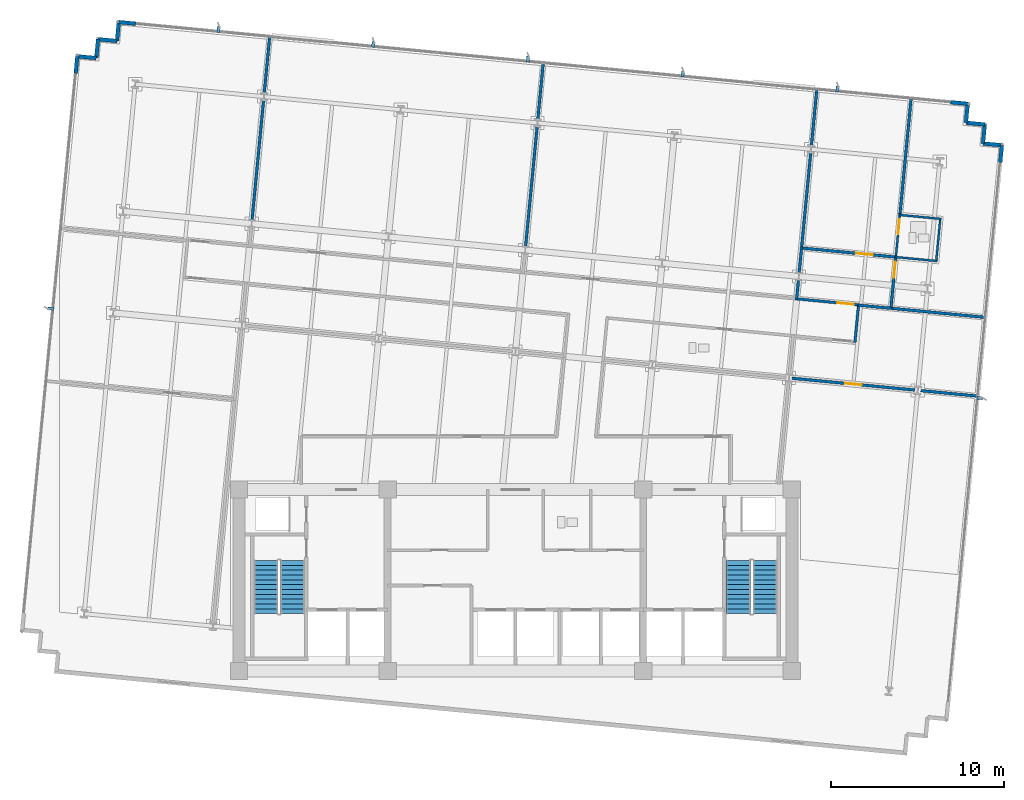
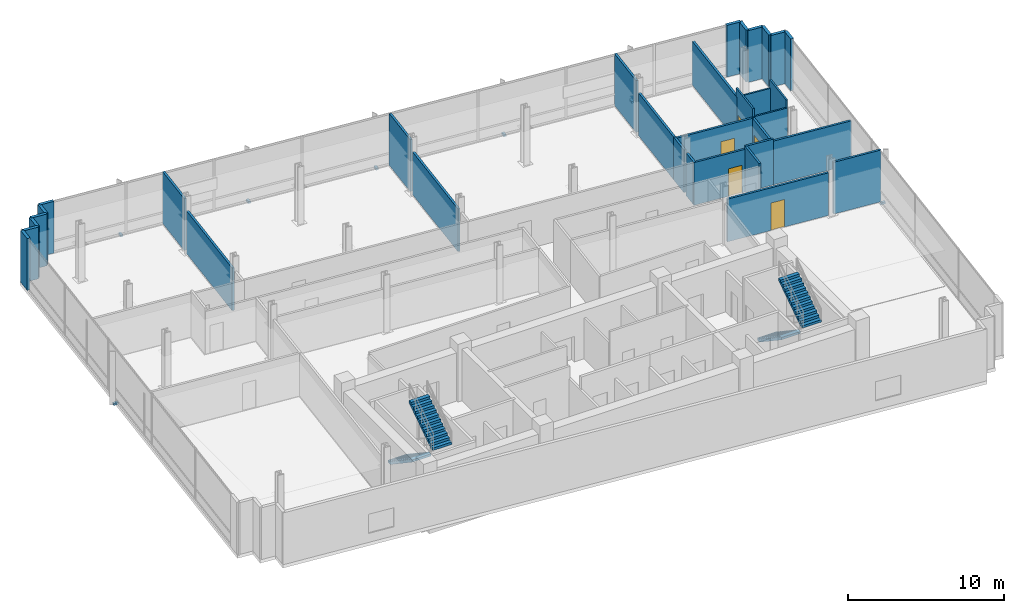
# One storey, part 13 of 17: 33 walls, 7 discrete accessories, 5 doors, 4 stair flights, 5 openings, 2 elements without a shape of their own.
"""IFC4 building model written with IfcOpenShell, lengths in metres."""

from ifc_helpers import new_model, si_unit, direction, frame, frame_2d, origin, origin_2d, place, context, subcontext, project, spatial, polyline, rectangle, outline, extrude, material, layer, layer_set, type_object, element, fill, aggregate, save


model = new_model("IFC4")

# Units and contexts
model_context = context("Model", 3, precision=1e-05, world=origin(), true_north=direction((0.0, 1.0)))
body_context = subcontext(model_context, "Body", "Model", "MODEL_VIEW")
ifc_project = project(units=[si_unit("LENGTHUNIT", "METRE"), si_unit("AREAUNIT", "SQUARE_METRE"), si_unit("VOLUMEUNIT", "CUBIC_METRE"), si_unit("PLANEANGLEUNIT", "RADIAN"), si_unit("MASSUNIT", "GRAM", prefix="KILO")], contexts=[model_context])

# Site, building, storey
site_placement = place(None, origin())
site = spatial("IfcSite", under=ifc_project, at=site_placement, CompositionType="ELEMENT")
building_placement = place(site_placement, origin())
building = spatial("IfcBuilding", under=site, at=building_placement, Name="Solmavex Isthmus Hotel", CompositionType="ELEMENT")
storey_placement = place(building_placement, frame((0.0, 0.0, 181.800048828125)))
storey = spatial("IfcBuildingStorey", under=building, at=storey_placement, Name="L49", CompositionType="ELEMENT", Elevation=181.800048828125)

# Walls
ifc_material_1 = material(Name="Precast Concrete C40/50", Category="concrete")
ifc_layer_1 = layer(ifc_material_1, 0.25)
ifc_layer_set_1 = layer_set([ifc_layer_1], Name="Precast Concrete C40/50")
wall_type_1 = type_object("IfcWallType", Name="EW-TWR-250", PredefinedType="STANDARD", material=ifc_layer_set_1)
wall_1_placement = place(storey_placement, frame((-25.46142578125, 21.60498046875, 0.0), z_axis=(0.0, 0.0, 1.0), x_axis=(0.095937974524, 0.995387314086, 0.0)))
element("IfcWall", 1, at=wall_1_placement, inside=storey, type_object=wall_type_1, Name="Serrated Corner Facade Panel L49-07", PredefinedType="STANDARD", context=body_context, shape_type="SweptSolid", body=[
    extrude(rectangle(XDim=0.989990234375, YDim=0.219970703125, at=frame_2d((0.4951171875, 0.0))), origin(), (0.0, 0.0, 1.0), 4.050048828125),
])
for number, where, z_axis, x_axis, name in (
    (2, (-25.366455078125, 22.59033203125, 0.0), (0.0, 0.0, 1.0), (0.995414313875, -0.095657429048, 0.0), "Serrated Corner Facade Panel L49-08"),
    (3, (-24.271484375, 22.485107421875, 0.0), (0.0, 0.0, 1.0), (0.095657429048, 0.995414313875, 0.0), "Serrated Corner Facade Panel L49-09"),
    (4, (-24.166259765625, 23.580078125, 0.0), (0.0, 0.0, 1.0), (0.995393156894, -0.095877334176, 0.0), "Serrated Corner Facade Panel L49-10"),
    (5, (-23.0712890625, 23.474609375, 0.0), (0.0, 0.0, 1.0), (0.095877334176, 0.995393156894, 0.0), "Serrated Corner Facade Panel L49-11"),
):
    element("IfcWall", number, at=place(storey_placement, frame(where, z_axis=z_axis, x_axis=x_axis)), inside=storey, type_object=wall_type_1, Name=name, PredefinedType="STANDARD", context=body_context, shape_type="SweptSolid", body=[
        extrude(rectangle(XDim=1.10009765625, YDim=0.219970703125, at=frame_2d((0.550048828125, 0.0))), origin(), (0.0, 0.0, 1.0), 4.050048828125),
    ])
for number, where, z_axis, x_axis, name in (
    (6, (-22.9658203125, 24.569580078125, 0.0), (0.0, 0.0, 1.0), (0.995387314086, -0.095937974524, 0.0), "Serrated Corner Facade Panel L49-12"),
    (7, (25.201416015625, 19.931396484375, 0.0), (0.0, 0.0, 1.0), (0.99541083642, -0.095693608655, 0.0), "Serrated Corner Facade Panel L49-14"),
):
    element("IfcWall", number, at=place(storey_placement, frame(where, z_axis=z_axis, x_axis=x_axis)), inside=storey, type_object=wall_type_1, Name=name, PredefinedType="STANDARD", context=body_context, shape_type="SweptSolid", body=[
        extrude(rectangle(XDim=0.989990234375, YDim=0.219970703125, at=frame_2d((0.4951171875, 0.0))), origin(), (0.0, 0.0, 1.0), 4.050048828125),
    ])
wall_2_placement = place(storey_placement, frame((26.186767578125, 19.836669921875, 0.0), z_axis=(0.0, 0.0, 1.0), x_axis=(-0.095657429048, -0.995414313875, 0.0)))
element("IfcWall", 8, at=wall_2_placement, inside=storey, type_object=wall_type_1, Name="Serrated Corner Facade Panel L49-15", PredefinedType="STANDARD", context=body_context, shape_type="SweptSolid", body=[
    extrude(rectangle(XDim=1.10009765625, YDim=0.219970703125, at=frame_2d((0.550048828125, 0.0))), origin(), (0.0, 0.0, 1.0), 4.050048828125),
])
wall_3_placement = place(storey_placement, frame((26.08154296875, 18.74169921875, 0.0), z_axis=(0.0, 0.0, 1.0), x_axis=(0.995391116058, -0.095898519656, 0.0)))
element("IfcWall", 9, at=wall_3_placement, inside=storey, type_object=wall_type_1, Name="Serrated Corner Facade Panel L49-16", PredefinedType="STANDARD", context=body_context, shape_type="SweptSolid", body=[
    extrude(rectangle(XDim=1.099853515625, YDim=0.219970703125, at=frame_2d((0.5498046875, 0.0))), origin(), (0.0, 0.0, 1.0), 4.050048828125),
])
wall_4_placement = place(storey_placement, frame((27.17626953125, 18.63623046875, 0.0), z_axis=(0.0, 0.0, 1.0), x_axis=(-0.095657429048, -0.995414313875, 0.0)))
element("IfcWall", 10, at=wall_4_placement, inside=storey, type_object=wall_type_1, Name="Serrated Corner Facade Panel L49-17", PredefinedType="STANDARD", context=body_context, shape_type="SweptSolid", body=[
    extrude(rectangle(XDim=1.10009765625, YDim=0.219970703125, at=frame_2d((0.550048828125, 0.0))), origin(), (0.0, 0.0, 1.0), 4.050048828125),
])
wall_5_placement = place(storey_placement, frame((27.071044921875, 17.541259765625, 0.0), z_axis=(0.0, 0.0, 1.0), x_axis=(0.995391116058, -0.095898519656, 0.0)))
element("IfcWall", 11, at=wall_5_placement, inside=storey, type_object=wall_type_1, Name="Serrated Corner Facade Panel L49-18", PredefinedType="STANDARD", context=body_context, shape_type="SweptSolid", body=[
    extrude(rectangle(XDim=1.099853515625, YDim=0.219970703125, at=frame_2d((0.5498046875, 0.0))), origin(), (0.0, 0.0, 1.0), 4.050048828125),
])
wall_6_placement = place(storey_placement, frame((28.165771484375, 17.435791015625, 0.0), z_axis=(0.0, 0.0, 1.0), x_axis=(-0.095693608655, -0.99541083642, 0.0)))
element("IfcWall", 12, at=wall_6_placement, inside=storey, type_object=wall_type_1, Name="Serrated Corner Facade Panel L49-19", PredefinedType="STANDARD", context=body_context, shape_type="SweptSolid", body=[
    extrude(rectangle(XDim=0.989990234375, YDim=0.219970703125, at=frame_2d((0.4951171875, 0.0))), origin(), (0.0, 0.0, 1.0), 4.050048828125),
])
ifc_material_2 = material(Name="Gypsum plasterboard lining", Category="gypsum")
ifc_layer_2 = layer(ifc_material_2, 0.159912109375)
ifc_layer_set_2 = layer_set([ifc_layer_2], Name="Gypsum plasterboard lining")
wall_type_2 = type_object("IfcWallType", Name="IW-COMP-160", PredefinedType="PARTITIONING", material=ifc_layer_set_2)
wall_7_placement = place(storey_placement, frame((-14.57958984375, 20.0791015625, 0.0), z_axis=(0.0, 0.0, 1.0), x_axis=(-0.095849846802, -0.995395804124, 0.0)))
element("IfcWall", 13, at=wall_7_placement, inside=storey, type_object=wall_type_2, Name="Interior Partition Wall W-L49-P020", PredefinedType="PARTITIONING", context=body_context, shape_type="SweptSolid", body=[
    extrude(rectangle(XDim=7.040283203125, YDim=0.159912109375, at=frame_2d((3.52001953125, 0.0))), origin(), (0.0, 0.0, 1.0), 3.33935546875),
])
wall_8_placement = place(storey_placement, frame((-14.225341796875, 23.758056640625, 0.0), z_axis=(0.0, 0.0, 1.0), x_axis=(-0.095859866796, -0.995394839216, 0.0)))
element("IfcWall", 14, at=wall_8_placement, inside=storey, type_object=wall_type_2, Name="Interior Partition Wall W-L49-P021", PredefinedType="PARTITIONING", context=body_context, shape_type="SweptSolid", body=[
    extrude(rectangle(XDim=3.343994140625, YDim=0.159912109375, at=frame_2d((1.671875, 0.0))), origin(), (0.0, 0.0, 1.0), 4.050048828125),
])
wall_9_placement = place(storey_placement, frame((1.259033203125, 18.553955078125, 0.0), z_axis=(0.0, 0.0, 1.0), x_axis=(-0.095818794798, -0.995398793732, 0.0)))
element("IfcWall", 15, at=wall_9_placement, inside=storey, type_object=wall_type_2, Name="Interior Partition Wall W-L49-P024", PredefinedType="PARTITIONING", context=body_context, shape_type="SweptSolid", body=[
    extrude(rectangle(XDim=7.0400390625, YDim=0.159912109375, at=frame_2d((3.52001953125, 0.0))), origin(), (0.0, 0.0, 1.0), 3.33935546875),
])
wall_10_placement = place(storey_placement, frame((1.601806640625, 22.113525390625, 0.0), z_axis=(0.0, 0.0, 1.0), x_axis=(-0.095791766065, -0.995401395194, 0.0)))
element("IfcWall", 16, at=wall_10_placement, inside=storey, type_object=wall_type_2, Name="Interior Partition Wall W-L49-P025", PredefinedType="PARTITIONING", context=body_context, shape_type="SweptSolid", body=[
    extrude(rectangle(XDim=3.22412109375, YDim=0.159912109375, at=frame_2d((1.612060546875, 0.0))), origin(), (0.0, 0.0, 1.0), 4.050048828125),
])
wall_11_placement = place(storey_placement, frame((16.389404296875, 9.6708984375, 0.0), z_axis=(0.0, 0.0, 1.0), x_axis=(-0.095811626391, -0.995399483749, 0.0)))
element("IfcWall", 17, at=wall_11_placement, inside=storey, type_object=wall_type_2, Name="Interior Partition Wall W-L49-P026", PredefinedType="PARTITIONING", context=body_context, shape_type="SweptSolid", body=[
    extrude(rectangle(XDim=1.172119140625, YDim=0.159912109375, at=frame_2d((0.5859375, 0.0))), origin(), (0.0, 0.0, 1.0), 3.33935546875),
])
wall_12_placement = place(storey_placement, frame((16.572265625, 11.570068359375, 0.0), z_axis=(0.0, 0.0, 1.0), x_axis=(-0.095867871334, -0.99539406832, 0.0)))
element("IfcWall", 18, at=wall_12_placement, inside=storey, type_object=wall_type_2, Name="Interior Partition Wall W-L49-P027", PredefinedType="PARTITIONING", context=body_context, shape_type="SweptSolid", body=[
    extrude(rectangle(XDim=1.555908203125, YDim=0.159912109375, at=frame_2d((0.77783203125, 0.0))), origin(), (0.0, 0.0, 1.0), 3.33935546875),
])
wall_13_placement = place(storey_placement, frame((17.097900390625, 17.02880859375, 0.0), z_axis=(0.0, 0.0, 1.0), x_axis=(-0.095831010877, -0.995397617716, 0.0)))
element("IfcWall", 19, at=wall_13_placement, inside=storey, type_object=wall_type_2, Name="Interior Partition Wall W-L49-P028", PredefinedType="PARTITIONING", context=body_context, shape_type="SweptSolid", body=[
    extrude(rectangle(XDim=5.64794921875, YDim=0.159912109375, at=frame_2d((2.823974609375, 0.0))), origin(), (0.0, 0.0, 1.0), 3.33935546875),
])
wall_14_placement = place(storey_placement, frame((17.4521484375, 20.707763671875, 0.0), z_axis=(0.0, 0.0, 1.0), x_axis=(-0.095859866796, -0.995394839216, 0.0)))
element("IfcWall", 20, at=wall_14_placement, inside=storey, type_object=wall_type_2, Name="Interior Partition Wall W-L49-P029", PredefinedType="PARTITIONING", context=body_context, shape_type="SweptSolid", body=[
    extrude(rectangle(XDim=3.343994140625, YDim=0.159912109375, at=frame_2d((1.671875, 0.0))), origin(), (0.0, 0.0, 1.0), 4.050048828125),
])

# Wall, opening, door
wall_15_placement = place(storey_placement, frame((16.524658203125, 11.4921875, 0.0), z_axis=(0.0, 0.0, 1.0), x_axis=(0.995397525562, -0.095831968077, 0.0)))
wall_15 = element("IfcWall", 21, at=wall_15_placement, inside=storey, type_object=wall_type_2, Name="Interior Partition Wall W-L49-P030", PredefinedType="PARTITIONING", context=body_context, shape_type="SweptSolid", body=[
    extrude(rectangle(XDim=5.56396484375, YDim=0.159912109375, at=frame_2d((2.781982421875, 0.0))), origin(), (0.0, 0.0, 1.0), 3.33935546875),
])
opening_1_placement = place(wall_15_placement, frame((3.228271484375, 0.0, 0.0)))
opening_1 = element("IfcOpeningElement", 22, at=opening_1_placement, cuts=wall_15, Name="Opening ID-C095", PredefinedType="OPENING", context=body_context, shape_type="SweptSolid", body=[
    extrude(rectangle(XDim=0.949951171875, YDim=2.14990234375, at=frame_2d((0.47509765625, 1.074951171875))), frame((0.0, 0.08984375, 0.0), z_axis=(0.0, -1.0, 0.0), x_axis=(1.0, 0.0, 0.0)), (0.0, 0.0, 1.0), 0.179931640625),
])
ifc_material_3 = material(Name="Hardwood timber", Category="wood")
door_type_1 = type_object("IfcDoorType", Name="IDR-FD60-0950", OperationType="NOTDEFINED", PredefinedType="DOOR", material=ifc_material_3)
door_1_placement = place(opening_1_placement, origin())
door_1 = element("IfcDoor", 23, at=door_1_placement, inside=storey, type_object=door_type_1, Name="Thermal Spa Suite Master Bedroom Door L49-05", OperationType="SINGLE_SWING_LEFT", OverallHeight=2.14990234375, OverallWidth=0.949951171875, PredefinedType="DOOR", context=body_context, shape_type="SweptSolid", body=[
    extrude(rectangle(XDim=0.949951171875, YDim=2.14990234375, at=frame_2d((0.47509765625, 1.074951171875))), frame((0.0, 0.02490234375, 0.0), z_axis=(0.0, -1.0, 0.0), x_axis=(1.0, 0.0, 0.0)), (0.0, 0.0, 1.0), 0.050048828125),
])
fill(opening_1, door_1)

wall_16_placement = place(storey_placement, frame((22.027099609375, 11.002685546875, 0.0), z_axis=(0.0, 0.0, 1.0), x_axis=(-0.095882784004, -0.995392631946, 0.0)))
wall_16 = element("IfcWall", 24, at=wall_16_placement, inside=storey, type_object=wall_type_2, Name="Interior Partition Wall W-L49-P031", PredefinedType="PARTITIONING", context=body_context, shape_type="SweptSolid", body=[
    extrude(rectangle(XDim=3.05810546875, YDim=0.159912109375, at=frame_2d((1.529052734375, 0.0))), origin(), (0.0, 0.0, 1.0), 3.33935546875),
])
opening_2_placement = place(wall_16_placement, frame((0.303466796875, 0.0, 0.0)))
opening_2 = element("IfcOpeningElement", 25, at=opening_2_placement, cuts=wall_16, Name="Opening ID-C095", PredefinedType="OPENING", context=body_context, shape_type="SweptSolid", body=[
    extrude(rectangle(XDim=0.949951171875, YDim=2.14990234375, at=frame_2d((0.47509765625, 1.074951171875))), frame((0.0, 0.08984375, 0.0), z_axis=(0.0, -1.0, 0.0), x_axis=(1.0, 0.0, 0.0)), (0.0, 0.0, 1.0), 0.179931640625),
])
door_2_placement = place(opening_2_placement, frame((0.949951171875, 0.0, 0.0), z_axis=(0.0, 0.0, 1.0), x_axis=(-1.0, 0.0, 0.0)))
door_2 = element("IfcDoor", 26, at=door_2_placement, inside=storey, type_object=door_type_1, Name="Thermal Spa Suite Living Lounge Door L49-06", OperationType="SINGLE_SWING_RIGHT", OverallHeight=2.14990234375, OverallWidth=0.949951171875, PredefinedType="DOOR", context=body_context, shape_type="SweptSolid", body=[
    extrude(rectangle(XDim=0.949951171875, YDim=2.14990234375, at=frame_2d((0.47509765625, 1.074951171875))), frame((0.0, 0.02490234375, 0.0), z_axis=(0.0, -1.0, 0.0), x_axis=(1.0, 0.0, 0.0)), (0.0, 0.0, 1.0), 0.050048828125),
])
fill(opening_2, door_2)

# Walls
wall_17_placement = place(storey_placement, frame((21.777587890625, 7.99462890625, 0.0), z_axis=(0.0, 0.0, 1.0), x_axis=(-0.995397179015, 0.09583556756, 0.0)))
element("IfcWall", 27, at=wall_17_placement, inside=storey, type_object=wall_type_2, Name="Interior Partition Wall W-L49-P032", PredefinedType="PARTITIONING", context=body_context, shape_type="SweptSolid", body=[
    extrude(rectangle(XDim=1.964111328125, YDim=0.159912109375, at=frame_2d((0.98193359375, 0.0))), origin(), (0.0, 0.0, 1.0), 3.578125),
])
wall_18_placement = place(storey_placement, frame((22.910888671875, 20.18212890625, 0.0), z_axis=(0.0, 0.0, 1.0), x_axis=(-0.09582846932, -0.995397862399, 0.0)))
element("IfcWall", 28, at=wall_18_placement, inside=storey, type_object=wall_type_2, Name="Interior Partition Wall W-L49-P033", PredefinedType="PARTITIONING", context=body_context, shape_type="SweptSolid", body=[
    extrude(rectangle(XDim=6.89404296875, YDim=0.159912109375, at=frame_2d((3.447021484375, 0.0))), origin(), (0.0, 0.0, 1.0), 3.41748046875),
])
wall_19_placement = place(storey_placement, frame((27.236328125, 7.468994140625, 0.0), z_axis=(0.0, 0.0, 1.0), x_axis=(-0.995393338962, 0.095875443934, 0.0)))
element("IfcWall", 29, at=wall_19_placement, inside=storey, type_object=wall_type_2, Name="Interior Partition Wall W-L49-P038", PredefinedType="PARTITIONING", context=body_context, shape_type="SweptSolid", body=[
    extrude(rectangle(XDim=5.56396484375, YDim=0.159912109375, at=frame_2d((2.781982421875, 0.0))), origin(), (0.0, 0.0, 1.0), 3.41748046875),
])

# Wall, opening, door
wall_20_placement = place(storey_placement, frame((23.118408203125, 3.264404296875, 0.0), z_axis=(0.0, 0.0, 1.0), x_axis=(-0.995397927648, 0.095827791557, 0.0)))
wall_20 = element("IfcWall", 30, at=wall_20_placement, inside=storey, type_object=wall_type_2, Name="Interior Partition Wall W-L49-P042", PredefinedType="PARTITIONING", context=body_context, shape_type="SweptSolid", body=[
    extrude(rectangle(XDim=7.13623046875, YDim=0.159912109375, at=frame_2d((3.568115234375, 0.0))), origin(), (0.0, 0.0, 1.0), 3.33935546875),
])
opening_3_placement = place(wall_20_placement, frame((3.093017578125, 0.0, 0.0)))
opening_3 = element("IfcOpeningElement", 31, at=opening_3_placement, cuts=wall_20, Name="Opening ID-C095", PredefinedType="OPENING", context=body_context, shape_type="SweptSolid", body=[
    extrude(rectangle(XDim=0.949951171875, YDim=2.14990234375, at=frame_2d((0.47509765625, 1.074951171875))), frame((0.0, 0.08984375, 0.0), z_axis=(0.0, -1.0, 0.0), x_axis=(1.0, 0.0, 0.0)), (0.0, 0.0, 1.0), 0.179931640625),
])
door_3_placement = place(opening_3_placement, origin())
door_3 = element("IfcDoor", 32, at=door_3_placement, inside=storey, type_object=door_type_1, Name="Corporate Briefing Office Door L49-13", OperationType="SINGLE_SWING_LEFT", OverallHeight=2.14990234375, OverallWidth=0.949951171875, PredefinedType="DOOR", context=body_context, shape_type="SweptSolid", body=[
    extrude(rectangle(XDim=0.949951171875, YDim=2.14990234375, at=frame_2d((0.47509765625, 1.074951171875))), frame((0.0, 0.02490234375, 0.0), z_axis=(0.0, -1.0, 0.0), x_axis=(1.0, 0.0, 0.0)), (0.0, 0.0, 1.0), 0.050048828125),
])
fill(opening_3, door_3)

# Wall
wall_21_placement = place(storey_placement, frame((26.79736328125, 2.91015625, 0.0), z_axis=(0.0, 0.0, 1.0), x_axis=(-0.995394839216, 0.095859866796, 0.0)))
element("IfcWall", 33, at=wall_21_placement, inside=storey, type_object=wall_type_2, Name="Interior Partition Wall W-L49-P043", PredefinedType="PARTITIONING", context=body_context, shape_type="SweptSolid", body=[
    extrude(rectangle(XDim=3.343994140625, YDim=0.159912109375, at=frame_2d((1.671875, 0.0))), origin(), (0.0, 0.0, 1.0), 4.050048828125),
])

# Wall, opening, door
ifc_layer_3 = layer(ifc_material_2, 0.14990234375)
ifc_layer_set_3 = layer_set([ifc_layer_3], Name="Gypsum plasterboard lining")
wall_type_3 = type_object("IfcWallType", Name="IW-CORR-150", PredefinedType="PARTITIONING", material=ifc_layer_set_3)
wall_22_placement = place(storey_placement, frame((16.19921875, 8.552001953125, 0.0), z_axis=(0.0, 0.0, 1.0), x_axis=(0.995391104887, -0.095898635608, 0.0)))
wall_22 = element("IfcWall", 34, at=wall_22_placement, inside=storey, type_object=wall_type_3, Name="Interior Partition Wall W-L49-P004", PredefinedType="PARTITIONING", context=body_context, shape_type="SweptSolid", body=[
    extrude(rectangle(XDim=3.721923828125, YDim=0.14990234375, at=frame_2d((1.86083984375, 0.0))), origin(), (0.0, 0.0, 1.0), 3.33935546875),
])
opening_4_placement = place(wall_22_placement, frame((2.456787109375, 0.0, 0.0)))
opening_4 = element("IfcOpeningElement", 35, at=opening_4_placement, cuts=wall_22, Name="Opening ID-C095", PredefinedType="OPENING", context=body_context, shape_type="SweptSolid", body=[
    extrude(rectangle(XDim=0.949951171875, YDim=2.14990234375, at=frame_2d((0.47509765625, 1.074951171875))), frame((0.0, 0.0849609375, 0.0), z_axis=(0.0, -1.0, 0.0), x_axis=(1.0, 0.0, 0.0)), (0.0, 0.0, 1.0), 0.169921875),
])
door_4_placement = place(opening_4_placement, frame((0.949951171875, 0.0, 0.0), z_axis=(0.0, 0.0, 1.0), x_axis=(-1.0, 0.0, 0.0)))
door_4 = element("IfcDoor", 36, at=door_4_placement, inside=storey, type_object=door_type_1, Name="Thermal Spa Suite Entrance Hall Door L49-04", OperationType="SINGLE_SWING_RIGHT", OverallHeight=2.14990234375, OverallWidth=0.949951171875, PredefinedType="DOOR", context=body_context, shape_type="SweptSolid", body=[
    extrude(rectangle(XDim=0.949951171875, YDim=2.14990234375, at=frame_2d((0.47509765625, 1.074951171875))), frame((0.0, 0.02490234375, 0.0), z_axis=(0.0, -1.0, 0.0), x_axis=(1.0, 0.0, 0.0)), (0.0, 0.0, 1.0), 0.050048828125),
])
fill(opening_4, door_4)

# Wall
wall_23_placement = place(storey_placement, frame((19.8662109375, 8.218994140625, 0.0), z_axis=(0.0, 0.0, 1.0), x_axis=(-0.095773447772, -0.995403157872, 0.0)))
element("IfcWall", 37, at=wall_23_placement, inside=storey, type_object=wall_type_3, Name="Interior Partition Wall W-L49-P007", PredefinedType="PARTITIONING", context=body_context, shape_type="SweptSolid", body=[
    extrude(rectangle(XDim=2.210205078125, YDim=0.14990234375, at=frame_2d((1.10498046875, 0.0))), origin(), (0.0, 0.0, 1.0), 3.578125),
])

# Wall, opening, door
ifc_layer_4 = layer(ifc_material_2, 0.1201171875)
ifc_layer_set_4 = layer_set([ifc_layer_4], Name="Gypsum plasterboard lining")
wall_type_4 = type_object("IfcWallType", Name="IW-PART-120", PredefinedType="PARTITIONING", material=ifc_layer_set_4)
wall_24_placement = place(storey_placement, frame((22.265869140625, 13.483154296875, 0.0), z_axis=(0.0, 0.0, 1.0), x_axis=(-0.09587519517, -0.995393362923, 0.0)))
wall_24 = element("IfcWall", 38, at=wall_24_placement, inside=storey, type_object=wall_type_4, Name="Interior Partition Wall W-L49-P034", PredefinedType="PARTITIONING", context=body_context, shape_type="SweptSolid", body=[
    extrude(rectangle(XDim=2.572021484375, YDim=0.1201171875, at=frame_2d((1.2861328125, 0.0))), origin(), (0.0, 0.0, 1.0), 4.050048828125),
])
opening_5_placement = place(wall_24_placement, frame((0.337646484375, 0.0, 0.0)))
opening_5 = element("IfcOpeningElement", 39, at=opening_5_placement, cuts=wall_24, Name="Opening ID-U085", PredefinedType="OPENING", context=body_context, shape_type="SweptSolid", body=[
    extrude(rectangle(XDim=0.85009765625, YDim=2.10009765625, at=frame_2d((0.425048828125, 1.050048828125))), frame((0.0, 0.070068359375, 0.0), z_axis=(0.0, -1.0, 0.0), x_axis=(1.0, 0.0, 0.0)), (0.0, 0.0, 1.0), 0.14013671875),
])
door_type_2 = type_object("IfcDoorType", Name="IDR-UNR-0850", OperationType="NOTDEFINED", PredefinedType="DOOR", material=ifc_material_3)
door_5_placement = place(opening_5_placement, frame((0.85009765625, 0.0, 0.0), z_axis=(0.0, 0.0, 1.0), x_axis=(-1.0, 0.0, 0.0)))
door_5 = element("IfcDoor", 40, at=door_5_placement, inside=storey, type_object=door_type_2, Name="En-suite Bathroom Door L49-07", OperationType="SINGLE_SWING_LEFT", OverallHeight=2.10009765625, OverallWidth=0.85009765625, PredefinedType="DOOR", context=body_context, shape_type="SweptSolid", body=[
    extrude(rectangle(XDim=0.85009765625, YDim=2.10009765625, at=frame_2d((0.425048828125, 1.050048828125))), frame((0.0, 0.02490234375, 0.0), z_axis=(0.0, -1.0, 0.0), x_axis=(1.0, 0.0, 0.0)), (0.0, 0.0, 1.0), 0.050048828125),
])
fill(opening_5, door_5)

# Walls
wall_25_placement = place(storey_placement, frame((21.9833984375, 10.966552734375, 0.0), z_axis=(0.0, 0.0, 1.0), x_axis=(0.995395581034, -0.095852163552, 0.0)))
element("IfcWall", 41, at=wall_25_placement, inside=storey, type_object=wall_type_4, Name="Interior Partition Wall W-L49-P035", PredefinedType="PARTITIONING", context=body_context, shape_type="SweptSolid", body=[
    extrude(rectangle(XDim=2.429931640625, YDim=0.1201171875, at=frame_2d((1.21484375, 0.0))), origin(), (0.0, 0.0, 1.0), 3.41748046875),
])
wall_26_placement = place(storey_placement, frame((24.358642578125, 10.69775390625, 0.0), z_axis=(0.0, 0.0, 1.0), x_axis=(0.095824571015, 0.995398237687, 0.0)))
element("IfcWall", 42, at=wall_26_placement, inside=storey, type_object=wall_type_4, Name="Interior Partition Wall W-L49-P036", PredefinedType="PARTITIONING", context=body_context, shape_type="SweptSolid", body=[
    extrude(rectangle(XDim=2.530029296875, YDim=0.1201171875, at=frame_2d((1.26513671875, 0.0))), origin(), (0.0, 0.0, 1.0), 4.050048828125),
])
wall_27_placement = place(storey_placement, frame((24.636962890625, 13.17236328125, 0.0), z_axis=(0.0, 0.0, 1.0), x_axis=(-0.995395581034, 0.095852163552, 0.0)))
element("IfcWall", 43, at=wall_27_placement, inside=storey, type_object=wall_type_4, Name="Interior Partition Wall W-L49-P037", PredefinedType="PARTITIONING", context=body_context, shape_type="SweptSolid", body=[
    extrude(rectangle(XDim=2.429931640625, YDim=0.1201171875, at=frame_2d((1.21484375, 0.0))), origin(), (0.0, 0.0, 1.0), 3.41748046875),
])

# Stair, stair flights
ifc_material_4 = material(Name="Concrete C40/50", Category="concrete")
stair_type_1 = type_object("IfcStairType", Name="STR-ST-1", PredefinedType="HALF_TURN_STAIR", material=ifc_material_4)
stair_1_placement = place(storey_placement, origin())
stair_1 = element("IfcStair", 44, at=stair_1_placement, inside=storey, type_object=stair_type_1, Name="L49 Protected Exit Stair ST-1", PredefinedType="HALF_TURN_STAIR")
stair_flight_type_1 = type_object("IfcStairFlightType", Name="SFL-ST-1", PredefinedType="STRAIGHT", material=ifc_material_4)
stair_flight_1_placement = place(storey_placement, frame((-14.449951171875, -6.60009765625, 0.0), z_axis=(0.0, 0.0, 1.0), x_axis=(0.0, -1.0, 0.0)))
stair_flight_1 = element("IfcStairFlight", 45, at=stair_flight_1_placement, type_object=stair_flight_type_1, Name="ST-1 flight 1", NumberOfRisers=12, NumberOfTreads=11, PredefinedType="STRAIGHT", RiserHeight=0.1875, TreadLength=0.28, context=body_context, shape_type="SweptSolid", body=[
    extrude(outline(polyline([(0.0, 0.0), (0.0, 0.1875), (0.280029296875, 0.1875), (0.280029296875, 0.375), (0.56005859375, 0.375), (0.56005859375, 0.5625), (0.840087890625, 0.5625), (0.840087890625, 0.75), (1.1201171875, 0.75), (1.1201171875, 0.9375), (1.39990234375, 0.9375), (1.39990234375, 1.125), (1.679931640625, 1.125), (1.679931640625, 1.3125), (1.9599609375, 1.3125), (1.9599609375, 1.5), (2.239990234375, 1.5), (2.239990234375, 1.6875), (2.52001953125, 1.6875), (2.52001953125, 1.875), (2.800048828125, 1.875), (2.800048828125, 2.0625), (3.080078125, 2.0625), (3.080078125, 2.25), (3.080078125, 1.882080078125), (0.26953125, 0.0), (0.0, 0.0)])), frame((0.0, 0.699951171875, 0.0), z_axis=(0.0, -1.0, 0.0), x_axis=(1.0, 0.0, 0.0)), (0.0, 0.0, 1.0), 1.39990234375),
])
stair_flight_2_placement = place(storey_placement, frame((-12.89990234375, -9.679931640625, 2.25), z_axis=(0.0, 0.0, 1.0), x_axis=(0.0, 1.0, 0.0)))
stair_flight_2 = element("IfcStairFlight", 46, at=stair_flight_2_placement, type_object=stair_flight_type_1, Name="ST-1 flight 2", NumberOfRisers=12, NumberOfTreads=11, PredefinedType="STRAIGHT", RiserHeight=0.1875, TreadLength=0.28, context=body_context, shape_type="SweptSolid", body=[
    extrude(outline(polyline([(0.0, 0.0), (0.0, 0.1875), (0.280029296875, 0.1875), (0.280029296875, 0.375), (0.56005859375, 0.375), (0.56005859375, 0.5625), (0.840087890625, 0.5625), (0.840087890625, 0.75), (1.1201171875, 0.75), (1.1201171875, 0.9375), (1.39990234375, 0.9375), (1.39990234375, 1.125), (1.679931640625, 1.125), (1.679931640625, 1.3125), (1.9599609375, 1.3125), (1.9599609375, 1.5), (2.239990234375, 1.5), (2.239990234375, 1.6875), (2.52001953125, 1.6875), (2.52001953125, 1.875), (2.800048828125, 1.875), (2.800048828125, 2.0625), (3.080078125, 2.0625), (3.080078125, 2.25), (3.080078125, 1.882080078125), (0.26953125, 0.0), (0.0, 0.0)])), frame((0.0, 0.699951171875, 0.0), z_axis=(0.0, -1.0, 0.0), x_axis=(1.0, 0.0, 0.0)), (0.0, 0.0, 1.0), 1.39990234375),
])
aggregate(stair_1, [stair_flight_1, stair_flight_2])

stair_type_2 = type_object("IfcStairType", Name="STR-ST-2", PredefinedType="HALF_TURN_STAIR", material=ifc_material_4)
stair_2_placement = place(storey_placement, origin())
stair_2 = element("IfcStair", 47, at=stair_2_placement, inside=storey, type_object=stair_type_2, Name="L49 Protected Exit Stair ST-2", PredefinedType="HALF_TURN_STAIR")
stair_flight_type_2 = type_object("IfcStairFlightType", Name="SFL-ST-2", PredefinedType="STRAIGHT", material=ifc_material_4)
stair_flight_3_placement = place(storey_placement, frame((12.89990234375, -6.60009765625, 0.0), z_axis=(0.0, 0.0, 1.0), x_axis=(0.0, -1.0, 0.0)))
stair_flight_3 = element("IfcStairFlight", 48, at=stair_flight_3_placement, type_object=stair_flight_type_2, Name="ST-2 flight 1", NumberOfRisers=12, NumberOfTreads=11, PredefinedType="STRAIGHT", RiserHeight=0.1875, TreadLength=0.28, context=body_context, shape_type="SweptSolid", body=[
    extrude(outline(polyline([(0.0, 0.0), (0.0, 0.1875), (0.280029296875, 0.1875), (0.280029296875, 0.375), (0.56005859375, 0.375), (0.56005859375, 0.5625), (0.840087890625, 0.5625), (0.840087890625, 0.75), (1.1201171875, 0.75), (1.1201171875, 0.9375), (1.39990234375, 0.9375), (1.39990234375, 1.125), (1.679931640625, 1.125), (1.679931640625, 1.3125), (1.9599609375, 1.3125), (1.9599609375, 1.5), (2.239990234375, 1.5), (2.239990234375, 1.6875), (2.52001953125, 1.6875), (2.52001953125, 1.875), (2.800048828125, 1.875), (2.800048828125, 2.0625), (3.080078125, 2.0625), (3.080078125, 2.25), (3.080078125, 1.882080078125), (0.26953125, 0.0), (0.0, 0.0)])), frame((0.0, 0.699951171875, 0.0), z_axis=(0.0, -1.0, 0.0), x_axis=(1.0, 0.0, 0.0)), (0.0, 0.0, 1.0), 1.39990234375),
])
stair_flight_4_placement = place(storey_placement, frame((14.449951171875, -9.679931640625, 2.25), z_axis=(0.0, 0.0, 1.0), x_axis=(0.0, 1.0, 0.0)))
stair_flight_4 = element("IfcStairFlight", 49, at=stair_flight_4_placement, type_object=stair_flight_type_2, Name="ST-2 flight 2", NumberOfRisers=12, NumberOfTreads=11, PredefinedType="STRAIGHT", RiserHeight=0.1875, TreadLength=0.28, context=body_context, shape_type="SweptSolid", body=[
    extrude(outline(polyline([(0.0, 0.0), (0.0, 0.1875), (0.280029296875, 0.1875), (0.280029296875, 0.375), (0.56005859375, 0.375), (0.56005859375, 0.5625), (0.840087890625, 0.5625), (0.840087890625, 0.75), (1.1201171875, 0.75), (1.1201171875, 0.9375), (1.39990234375, 0.9375), (1.39990234375, 1.125), (1.679931640625, 1.125), (1.679931640625, 1.3125), (1.9599609375, 1.3125), (1.9599609375, 1.5), (2.239990234375, 1.5), (2.239990234375, 1.6875), (2.52001953125, 1.6875), (2.52001953125, 1.875), (2.800048828125, 1.875), (2.800048828125, 2.0625), (3.080078125, 2.0625), (3.080078125, 2.25), (3.080078125, 1.882080078125), (0.26953125, 0.0), (0.0, 0.0)])), frame((0.0, 0.699951171875, 0.0), z_axis=(0.0, -1.0, 0.0), x_axis=(1.0, 0.0, 0.0)), (0.0, 0.0, 1.0), 1.39990234375),
])
aggregate(stair_2, [stair_flight_3, stair_flight_4])

# Discrete accessories
ifc_material_5 = material(Name="Steel ASTM A572 Grade 50", Category="steel")
discrete_accessory_type = type_object("IfcDiscreteAccessoryType", Name="ACC-BRK-FIN", PredefinedType="BRACKET", material=ifc_material_5)
for number, where, z_axis, x_axis, name in (
    (50, (-17.18994140625, 24.143798828125, -0.169921875), (0.0, 0.0, 1.0), (0.09584575252, 0.995396198367, 0.0), "Facade Fin Support Bracket L49-N1"),
    (51, (-8.2314453125, 23.28125, -0.169921875), (0.0, 0.0, 1.0), (0.09584575252, 0.995396198367, 0.0), "Facade Fin Support Bracket L49-N2"),
    (52, (0.72705078125, 22.418701171875, -0.169921875), (0.0, 0.0, 1.0), (0.09584575252, 0.995396198367, 0.0), "Facade Fin Support Bracket L49-N3"),
    (53, (9.685791015625, 21.55615234375, -0.169921875), (0.0, 0.0, 1.0), (0.09584575252, 0.995396198367, 0.0), "Facade Fin Support Bracket L49-N4"),
    (54, (18.644287109375, 20.693359375, -0.169921875), (0.0, 0.0, 1.0), (0.09584575252, 0.995396198367, 0.0), "Facade Fin Support Bracket L49-N5"),
    (55, (-26.90380859375, 7.98046875, -0.169921875), (0.0, 0.0, 1.0), (-0.995396198367, 0.09584575252, 0.0), "Facade Fin Support Bracket L49-W1"),
    (56, (26.88720703125, 2.801025390625, -0.169921875), (0.0, 0.0, 1.0), (0.995396198367, -0.09584575252, 0.0), "Facade Fin Support Bracket L49-E1"),
):
    element("IfcDiscreteAccessory", number, at=place(storey_placement, frame(where, z_axis=z_axis, x_axis=x_axis)), inside=storey, type_object=discrete_accessory_type, Name=name, PredefinedType="BRACKET", context=body_context, shape_type="SweptSolid", body=[
        extrude(rectangle(XDim=0.340087890625, YDim=0.179931640625, at=origin_2d()), origin(), (0.0, 0.0, 1.0), 0.159912109375),
    ])

save(model, "model.ifc")
